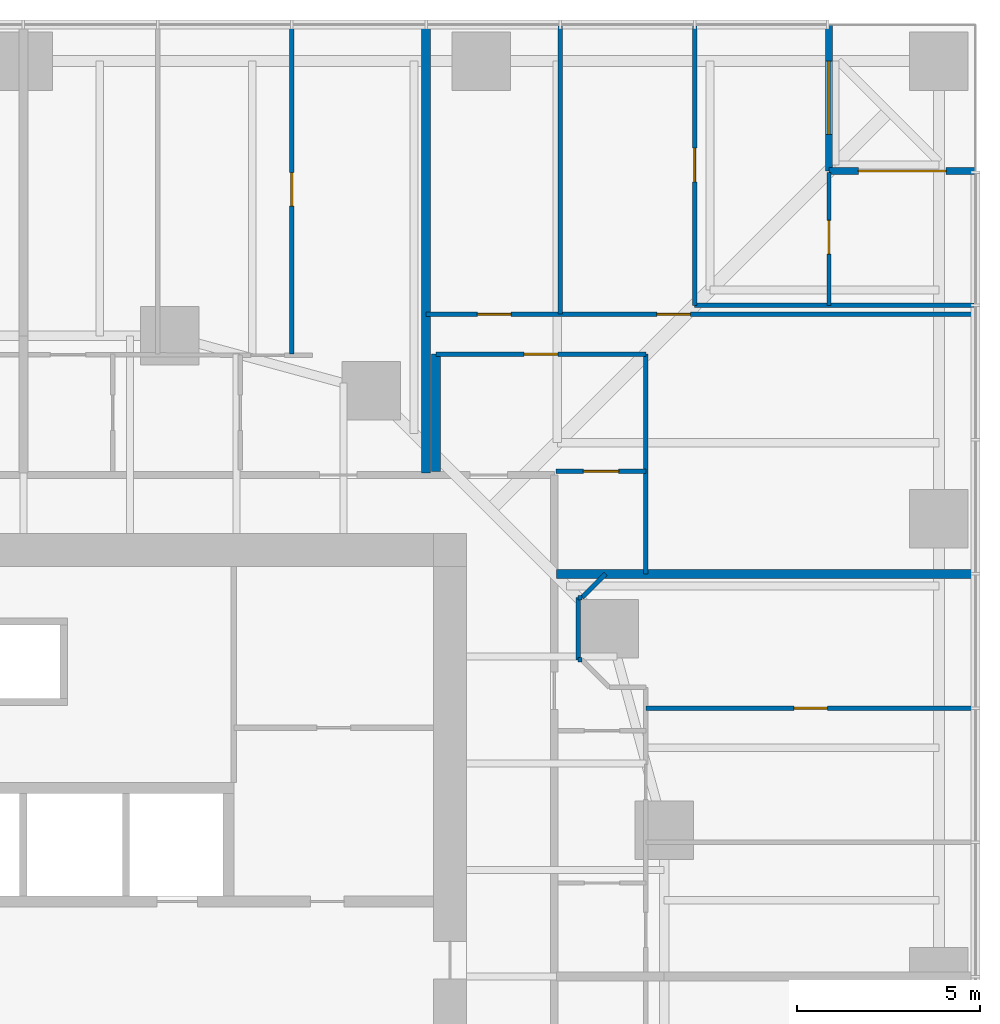
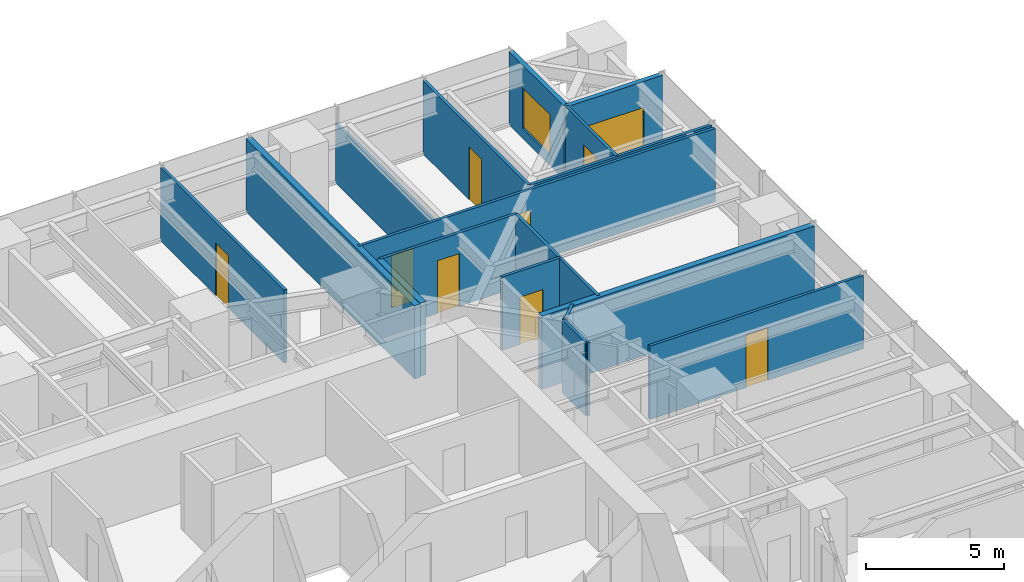
# One storey, part 15 of 17: 19 walls, 9 doors, 1 window, 10 openings.
"""IFC4 building model written with IfcOpenShell, lengths in metres."""

from ifc_helpers import new_model, si_unit, direction, frame, frame_2d, origin, place, context, subcontext, project, spatial, rectangle, extrude, material, layer, layer_set, type_object, element, fill, save


model = new_model("IFC4")

# Units and contexts
model_context = context("Model", 3, precision=1e-05, world=origin(), true_north=direction((0.0, 1.0)))
body_context = subcontext(model_context, "Body", "Model", "MODEL_VIEW")
ifc_project = project(units=[si_unit("LENGTHUNIT", "METRE"), si_unit("AREAUNIT", "SQUARE_METRE"), si_unit("VOLUMEUNIT", "CUBIC_METRE"), si_unit("PLANEANGLEUNIT", "RADIAN"), si_unit("MASSUNIT", "GRAM", prefix="KILO")], contexts=[model_context])

# Site, building, storey
site_placement = place(None, origin())
site = spatial("IfcSite", under=ifc_project, at=site_placement, CompositionType="ELEMENT")
building_placement = place(site_placement, origin())
building = spatial("IfcBuilding", under=site, at=building_placement, Name="Torsade Residences", CompositionType="ELEMENT")
storey_placement = place(building_placement, frame((0.0, 0.0, 18.39990234375)))
storey = spatial("IfcBuildingStorey", under=building, at=storey_placement, Name="L04", CompositionType="ELEMENT", Elevation=18.39990234375)

# Walls
ifc_material_1 = material(Name="Plasterboard on steel stud", Category="steel")
ifc_layer_1 = layer(ifc_material_1, 0.1201171875)
ifc_layer_set_1 = layer_set([ifc_layer_1], Name="Plasterboard on steel stud")
wall_type_1 = type_object("IfcWallType", Name="PARTITION 120", PredefinedType="PARTITIONING", material=ifc_layer_set_1)
wall_1_placement = place(storey_placement, frame((55.89990234375, 41.0, 0.0), z_axis=(0.0, 0.0, 1.0), x_axis=(-0.707106781187, -0.707106781187, 0.0)))
element("IfcWall", 1, at=wall_1_placement, inside=storey, type_object=wall_type_1, Name="Partition L04", PredefinedType="PARTITIONING", context=body_context, shape_type="SweptSolid", body=[
    extrude(rectangle(XDim=0.919189453125, YDim=0.1201171875, at=frame_2d((0.45947265625, 0.0))), origin(), (0.0, 0.0, 1.0), 3.25),
])
wall_2_placement = place(storey_placement, frame((55.14990234375, 40.35009765625, 0.0), z_axis=(0.0, 0.0, 1.0), x_axis=(0.0, -1.0, 0.0)))
element("IfcWall", 2, at=wall_2_placement, inside=storey, type_object=wall_type_1, Name="Partition L04", PredefinedType="PARTITIONING", context=body_context, shape_type="SweptSolid", body=[
    extrude(rectangle(XDim=1.7001953125, YDim=0.1201171875, at=frame_2d((0.85009765625, 0.0))), origin(), (0.0, 0.0, 1.0), 3.25),
])

# Wall, opening, door
wall_3_placement = place(storey_placement, frame((65.9599609375, 37.333251953125, 0.0), z_axis=(0.0, 0.0, 1.0), x_axis=(-1.0, 0.0, 0.0)))
wall_3 = element("IfcWall", 3, at=wall_3_placement, inside=storey, type_object=wall_type_1, Name="Partition L04", PredefinedType="PARTITIONING", context=body_context, shape_type="SweptSolid", body=[
    extrude(rectangle(XDim=8.9599609375, YDim=0.1201171875, at=frame_2d((4.47998046875, 0.0))), origin(), (0.0, 0.0, 1.0), 3.25),
])
opening_1_placement = place(wall_3_placement, frame((4.0, 0.0, 0.0)))
opening_1 = element("IfcOpeningElement", 4, at=opening_1_placement, cuts=wall_3, Name="Opening D02", PredefinedType="OPENING", context=body_context, shape_type="SweptSolid", body=[
    extrude(rectangle(XDim=0.919921875, YDim=2.340087890625, at=frame_2d((0.4599609375, 1.169921875))), frame((0.0, 0.070068359375, 0.0), z_axis=(0.0, -1.0, 0.0), x_axis=(1.0, 0.0, 0.0)), (0.0, 0.0, 1.0), 0.14013671875),
])
ifc_material_2 = material(Name="Hollow-core timber door", Category="wood")
door_type_1 = type_object("IfcDoorType", Name="INTERNAL DOOR 920x2340", OperationType="NOTDEFINED", PredefinedType="DOOR", material=ifc_material_2)
door_1_placement = place(opening_1_placement, origin())
door_1 = element("IfcDoor", 5, at=door_1_placement, inside=storey, type_object=door_type_1, Name="Door Bedroom 2 to Bedroom 1", OperationType="SINGLE_SWING_RIGHT", OverallHeight=2.340087890625, OverallWidth=0.919921875, PredefinedType="DOOR", context=body_context, shape_type="SweptSolid", body=[
    extrude(rectangle(XDim=0.919921875, YDim=2.340087890625, at=frame_2d((0.4599609375, 1.169921875))), frame((0.0, 0.02490234375, 0.0), z_axis=(0.0, -1.0, 0.0), x_axis=(1.0, 0.0, 0.0)), (0.0, 0.0, 1.0), 0.050048828125),
])
fill(opening_1, door_1)

wall_4_placement = place(storey_placement, frame((57.0, 43.800048828125, 0.0), z_axis=(0.0, 0.0, 1.0), x_axis=(-1.0, 0.0, 0.0)))
wall_4 = element("IfcWall", 6, at=wall_4_placement, inside=storey, type_object=wall_type_1, Name="Partition L04", PredefinedType="PARTITIONING", context=body_context, shape_type="SweptSolid", body=[
    extrude(rectangle(XDim=2.449951171875, YDim=0.1201171875, at=frame_2d((1.22509765625, 0.0))), origin(), (0.0, 0.0, 1.0), 3.25),
])
opening_2_placement = place(wall_4_placement, frame((0.7451171875, 0.0, 0.0)))
opening_2 = element("IfcOpeningElement", 7, at=opening_2_placement, cuts=wall_4, Name="Opening D05", PredefinedType="OPENING", context=body_context, shape_type="SweptSolid", body=[
    extrude(rectangle(XDim=0.9599609375, YDim=2.10009765625, at=frame_2d((0.47998046875, 1.050048828125))), frame((0.0, 0.070068359375, 0.0), z_axis=(0.0, -1.0, 0.0), x_axis=(1.0, 0.0, 0.0)), (0.0, 0.0, 1.0), 0.14013671875),
])
ifc_material_3 = material(Name="Hollow-core timber door in a steel cavity frame", Category="steel")
door_type_2 = type_object("IfcDoorType", Name="BATHROOM CAVITY SLIDING DOOR 960", OperationType="SLIDING_TO_LEFT", PredefinedType="DOOR", material=ifc_material_3)
door_2_placement = place(opening_2_placement, origin())
door_2 = element("IfcDoor", 8, at=door_2_placement, inside=storey, type_object=door_type_2, Name="Door Kitchen and dining to Bathroom", OperationType="SLIDING_TO_LEFT", OverallHeight=2.10009765625, OverallWidth=0.9599609375, PredefinedType="DOOR", context=body_context, shape_type="SweptSolid", body=[
    extrude(rectangle(XDim=0.9599609375, YDim=2.10009765625, at=frame_2d((0.47998046875, 1.050048828125))), frame((0.0, 0.02490234375, 0.0), z_axis=(0.0, -1.0, 0.0), x_axis=(1.0, 0.0, 0.0)), (0.0, 0.0, 1.0), 0.050048828125),
])
fill(opening_2, door_2)

wall_5_placement = place(storey_placement, frame((51.267578125, 47.0, 0.0), z_axis=(0.0, 0.0, 1.0), x_axis=(1.0, 0.0, 0.0)))
wall_5 = element("IfcWall", 9, at=wall_5_placement, inside=storey, type_object=wall_type_1, Name="Partition L04", PredefinedType="PARTITIONING", context=body_context, shape_type="SweptSolid", body=[
    extrude(rectangle(XDim=5.732421875, YDim=0.1201171875, at=frame_2d((2.8662109375, 0.0))), origin(), (0.0, 0.0, 1.0), 3.25),
])
opening_3_placement = place(wall_5_placement, frame((2.40625, 0.0, 0.0)))
opening_3 = element("IfcOpeningElement", 10, at=opening_3_placement, cuts=wall_5, Name="Opening D02", PredefinedType="OPENING", context=body_context, shape_type="SweptSolid", body=[
    extrude(rectangle(XDim=0.919921875, YDim=2.340087890625, at=frame_2d((0.4599609375, 1.169921875))), frame((0.0, 0.070068359375, 0.0), z_axis=(0.0, -1.0, 0.0), x_axis=(1.0, 0.0, 0.0)), (0.0, 0.0, 1.0), 0.14013671875),
])
door_3_placement = place(opening_3_placement, origin())
door_3 = element("IfcDoor", 11, at=door_3_placement, inside=storey, type_object=door_type_1, Name="Door Kitchen and dining to Living room", OperationType="SINGLE_SWING_LEFT", OverallHeight=2.340087890625, OverallWidth=0.919921875, PredefinedType="DOOR", context=body_context, shape_type="SweptSolid", body=[
    extrude(rectangle(XDim=0.919921875, YDim=2.340087890625, at=frame_2d((0.4599609375, 1.169921875))), frame((0.0, 0.02490234375, 0.0), z_axis=(0.0, -1.0, 0.0), x_axis=(1.0, 0.0, 0.0)), (0.0, 0.0, 1.0), 0.050048828125),
])
fill(opening_3, door_3)

# Wall
wall_6_placement = place(storey_placement, frame((57.0, 47.0, 0.0), z_axis=(0.0, 0.0, 1.0), x_axis=(0.0, -1.0, 0.0)))
element("IfcWall", 12, at=wall_6_placement, inside=storey, type_object=wall_type_1, Name="Partition L04", PredefinedType="PARTITIONING", context=body_context, shape_type="SweptSolid", body=[
    extrude(rectangle(XDim=6.0, YDim=0.1201171875, at=frame_2d((3.0, 0.0))), origin(), (0.0, 0.0, 1.0), 3.25),
])

# Wall, openings, doors
wall_7_placement = place(storey_placement, frame((51.0, 48.089111328125, 0.0), z_axis=(0.0, 0.0, 1.0), x_axis=(1.0, 0.0, 0.0)))
wall_7 = element("IfcWall", 13, at=wall_7_placement, inside=storey, type_object=wall_type_1, Name="Partition L04", PredefinedType="PARTITIONING", context=body_context, shape_type="SweptSolid", body=[
    extrude(rectangle(XDim=14.9599609375, YDim=0.1201171875, at=frame_2d((7.47998046875, 0.0))), origin(), (0.0, 0.0, 1.0), 3.25),
])
opening_4_placement = place(wall_7_placement, frame((6.29833984375, 0.0, 0.0)))
opening_4 = element("IfcOpeningElement", 14, at=opening_4_placement, cuts=wall_7, Name="Opening D02", PredefinedType="OPENING", context=body_context, shape_type="SweptSolid", body=[
    extrude(rectangle(XDim=0.919921875, YDim=2.340087890625, at=frame_2d((0.4599609375, 1.169921875))), frame((0.0, 0.070068359375, 0.0), z_axis=(0.0, -1.0, 0.0), x_axis=(1.0, 0.0, 0.0)), (0.0, 0.0, 1.0), 0.14013671875),
])
opening_5_placement = place(wall_7_placement, frame((1.3984375, 0.0, 0.0)))
opening_5 = element("IfcOpeningElement", 15, at=opening_5_placement, cuts=wall_7, Name="Opening D02", PredefinedType="OPENING", context=body_context, shape_type="SweptSolid", body=[
    extrude(rectangle(XDim=0.919921875, YDim=2.340087890625, at=frame_2d((0.4599609375, 1.169921875))), frame((0.0, 0.070068359375, 0.0), z_axis=(0.0, -1.0, 0.0), x_axis=(1.0, 0.0, 0.0)), (0.0, 0.0, 1.0), 0.14013671875),
])
door_4_placement = place(opening_4_placement, origin())
door_4 = element("IfcDoor", 16, at=door_4_placement, inside=storey, type_object=door_type_1, Name="Door Living room to Bedroom 1", OperationType="SINGLE_SWING_LEFT", OverallHeight=2.340087890625, OverallWidth=0.919921875, PredefinedType="DOOR", context=body_context, shape_type="SweptSolid", body=[
    extrude(rectangle(XDim=0.919921875, YDim=2.340087890625, at=frame_2d((0.4599609375, 1.169921875))), frame((0.0, 0.02490234375, 0.0), z_axis=(0.0, -1.0, 0.0), x_axis=(1.0, 0.0, 0.0)), (0.0, 0.0, 1.0), 0.050048828125),
])
fill(opening_4, door_4)
door_5_placement = place(opening_5_placement, origin())
door_5 = element("IfcDoor", 17, at=door_5_placement, inside=storey, type_object=door_type_1, Name="Door Living room to Bedroom 2", OperationType="SINGLE_SWING_RIGHT", OverallHeight=2.340087890625, OverallWidth=0.919921875, PredefinedType="DOOR", context=body_context, shape_type="SweptSolid", body=[
    extrude(rectangle(XDim=0.919921875, YDim=2.340087890625, at=frame_2d((0.4599609375, 1.169921875))), frame((0.0, 0.02490234375, 0.0), z_axis=(0.0, -1.0, 0.0), x_axis=(1.0, 0.0, 0.0)), (0.0, 0.0, 1.0), 0.050048828125),
])
fill(opening_5, door_5)

# Wall
wall_8_placement = place(storey_placement, frame((54.666748046875, 48.089111328125, 0.0), z_axis=(0.0, 0.0, 1.0), x_axis=(0.0, 1.0, 0.0)))
element("IfcWall", 18, at=wall_8_placement, inside=storey, type_object=wall_type_1, Name="Partition L04", PredefinedType="PARTITIONING", context=body_context, shape_type="SweptSolid", body=[
    extrude(rectangle(XDim=7.870849609375, YDim=0.1201171875, at=frame_2d((3.935546875, 0.0))), origin(), (0.0, 0.0, 1.0), 2.63818359375),
])

# Wall, opening, door
wall_9_placement = place(storey_placement, frame((58.333251953125, 55.9599609375, 0.0), z_axis=(0.0, 0.0, 1.0), x_axis=(0.0, -1.0, 0.0)))
wall_9 = element("IfcWall", 19, at=wall_9_placement, inside=storey, type_object=wall_type_1, Name="Partition L04", PredefinedType="PARTITIONING", context=body_context, shape_type="SweptSolid", body=[
    extrude(rectangle(XDim=7.626708984375, YDim=0.1201171875, at=frame_2d((3.8134765625, 0.0))), origin(), (0.0, 0.0, 1.0), 3.25),
])
opening_6_placement = place(wall_9_placement, frame((3.333251953125, 0.0, 0.0)))
opening_6 = element("IfcOpeningElement", 20, at=opening_6_placement, cuts=wall_9, Name="Opening D02", PredefinedType="OPENING", context=body_context, shape_type="SweptSolid", body=[
    extrude(rectangle(XDim=0.919921875, YDim=2.340087890625, at=frame_2d((0.4599609375, 1.169921875))), frame((0.0, 0.070068359375, 0.0), z_axis=(0.0, -1.0, 0.0), x_axis=(1.0, 0.0, 0.0)), (0.0, 0.0, 1.0), 0.14013671875),
])
door_6_placement = place(opening_6_placement, origin())
door_6 = element("IfcDoor", 21, at=door_6_placement, inside=storey, type_object=door_type_1, Name="Door Bedroom 1 to Study", OperationType="SINGLE_SWING_RIGHT", OverallHeight=2.340087890625, OverallWidth=0.919921875, PredefinedType="DOOR", context=body_context, shape_type="SweptSolid", body=[
    extrude(rectangle(XDim=0.919921875, YDim=2.340087890625, at=frame_2d((0.4599609375, 1.169921875))), frame((0.0, 0.02490234375, 0.0), z_axis=(0.0, -1.0, 0.0), x_axis=(1.0, 0.0, 0.0)), (0.0, 0.0, 1.0), 0.050048828125),
])
fill(opening_6, door_6)

# Wall
wall_10_placement = place(storey_placement, frame((58.333251953125, 48.333251953125, 0.0), z_axis=(0.0, 0.0, 1.0), x_axis=(1.0, 0.0, 0.0)))
element("IfcWall", 22, at=wall_10_placement, inside=storey, type_object=wall_type_1, Name="Partition L04", PredefinedType="PARTITIONING", context=body_context, shape_type="SweptSolid", body=[
    extrude(rectangle(XDim=7.626708984375, YDim=0.1201171875, at=frame_2d((3.8134765625, 0.0))), origin(), (0.0, 0.0, 1.0), 3.25),
])

# Wall, opening, door
wall_11_placement = place(storey_placement, frame((62.0, 51.9599609375, 0.0), z_axis=(0.0, 0.0, 1.0), x_axis=(0.0, -1.0, 0.0)))
wall_11 = element("IfcWall", 23, at=wall_11_placement, inside=storey, type_object=wall_type_1, Name="Partition L04", PredefinedType="PARTITIONING", context=body_context, shape_type="SweptSolid", body=[
    extrude(rectangle(XDim=3.626708984375, YDim=0.1201171875, at=frame_2d((1.8134765625, 0.0))), origin(), (0.0, 0.0, 1.0), 3.25),
])
opening_7_placement = place(wall_11_placement, frame((1.308349609375, 0.0, 0.0)))
opening_7 = element("IfcOpeningElement", 24, at=opening_7_placement, cuts=wall_11, Name="Opening D02", PredefinedType="OPENING", context=body_context, shape_type="SweptSolid", body=[
    extrude(rectangle(XDim=0.919921875, YDim=2.340087890625, at=frame_2d((0.4599609375, 1.169921875))), frame((0.0, 0.070068359375, 0.0), z_axis=(0.0, -1.0, 0.0), x_axis=(1.0, 0.0, 0.0)), (0.0, 0.0, 1.0), 0.14013671875),
])
door_7_placement = place(opening_7_placement, origin())
door_7 = element("IfcDoor", 25, at=door_7_placement, inside=storey, type_object=door_type_1, Name="Door Study to Family room", OperationType="SINGLE_SWING_RIGHT", OverallHeight=2.340087890625, OverallWidth=0.919921875, PredefinedType="DOOR", context=body_context, shape_type="SweptSolid", body=[
    extrude(rectangle(XDim=0.919921875, YDim=2.340087890625, at=frame_2d((0.4599609375, 1.169921875))), frame((0.0, 0.02490234375, 0.0), z_axis=(0.0, -1.0, 0.0), x_axis=(1.0, 0.0, 0.0)), (0.0, 0.0, 1.0), 0.050048828125),
])
fill(opening_7, door_7)

wall_12_placement = place(storey_placement, frame((47.333251953125, 47.0, 0.0), z_axis=(0.0, 0.0, 1.0), x_axis=(0.0, 1.0, 0.0)))
wall_12 = element("IfcWall", 26, at=wall_12_placement, inside=storey, type_object=wall_type_1, Name="Partition L04", PredefinedType="PARTITIONING", context=body_context, shape_type="SweptSolid", body=[
    extrude(rectangle(XDim=8.9599609375, YDim=0.1201171875, at=frame_2d((4.47998046875, 0.0))), origin(), (0.0, 0.0, 1.0), 3.25),
])
opening_8_placement = place(wall_12_placement, frame((4.0400390625, 0.0, 0.0)))
opening_8 = element("IfcOpeningElement", 27, at=opening_8_placement, cuts=wall_12, Name="Opening D02", PredefinedType="OPENING", context=body_context, shape_type="SweptSolid", body=[
    extrude(rectangle(XDim=0.919921875, YDim=2.340087890625, at=frame_2d((0.4599609375, 1.169921875))), frame((0.0, 0.070068359375, 0.0), z_axis=(0.0, -1.0, 0.0), x_axis=(1.0, 0.0, 0.0)), (0.0, 0.0, 1.0), 0.14013671875),
])
door_8_placement = place(opening_8_placement, origin())
door_8 = element("IfcDoor", 28, at=door_8_placement, inside=storey, type_object=door_type_1, Name="Door Bedroom 2 to Living room", OperationType="SINGLE_SWING_RIGHT", OverallHeight=2.340087890625, OverallWidth=0.919921875, PredefinedType="DOOR", context=body_context, shape_type="SweptSolid", body=[
    extrude(rectangle(XDim=0.919921875, YDim=2.340087890625, at=frame_2d((0.4599609375, 1.169921875))), frame((0.0, 0.02490234375, 0.0), z_axis=(0.0, -1.0, 0.0), x_axis=(1.0, 0.0, 0.0)), (0.0, 0.0, 1.0), 0.050048828125),
])
fill(opening_8, door_8)

# Walls
for number, where, z_axis, x_axis, name in (
    (29, (55.14990234375, 40.35009765625, 0.0), (0.0, 0.0, 1.0), (1.0, 0.0, 0.0), "Partition L04"),
    (30, (55.14990234375, 38.64990234375, 0.0), (0.0, 0.0, 1.0), (1.0, 0.0, 0.0), "Partition L04"),
):
    element("IfcWall", number, at=place(storey_placement, frame(where, z_axis=z_axis, x_axis=x_axis)), inside=storey, type_object=wall_type_1, Name=name, PredefinedType="PARTITIONING", context=body_context, shape_type="SweptSolid", body=[
        extrude(rectangle(XDim=0.10009765625, YDim=0.1201171875, at=frame_2d((0.050048828125, 0.0))), origin(), (0.0, 0.0, 1.0), 3.25),
    ])
ifc_material_4 = material(Name="Masonry-lined stud party wall", Category="masonry")
ifc_layer_2 = layer(ifc_material_4, 0.25)
ifc_layer_set_2 = layer_set([ifc_layer_2], Name="Masonry-lined stud party wall")
wall_type_2 = type_object("IfcWallType", Name="PARTY WALL 250", PredefinedType="PARTITIONING", material=ifc_layer_set_2)
wall_13_placement = place(storey_placement, frame((66.0, 41.0, 0.0), z_axis=(0.0, 0.0, 1.0), x_axis=(-1.0, 0.0, 0.0)))
element("IfcWall", 31, at=wall_13_placement, inside=storey, type_object=wall_type_2, Name="Party wall L04", PredefinedType="PARTITIONING", context=body_context, shape_type="SweptSolid", body=[
    extrude(rectangle(XDim=11.43994140625, YDim=0.25, at=frame_2d((5.719970703125, 0.0))), origin(), (0.0, 0.0, 1.0), 3.25),
])
wall_14_placement = place(storey_placement, frame((51.0, 56.0, 0.0), z_axis=(0.0, 0.0, 1.0), x_axis=(0.0, -1.0, 0.0)))
element("IfcWall", 32, at=wall_14_placement, inside=storey, type_object=wall_type_2, Name="Party wall L04", PredefinedType="PARTITIONING", context=body_context, shape_type="SweptSolid", body=[
    extrude(rectangle(XDim=12.239990234375, YDim=0.25, at=frame_2d((6.1201171875, 0.0))), origin(), (0.0, 0.0, 1.0), 3.25),
])
wall_15_placement = place(storey_placement, frame((51.267578125, 43.800048828125, 0.0), z_axis=(0.0, 0.0, 1.0), x_axis=(0.0, 1.0, 0.0)))
element("IfcWall", 33, at=wall_15_placement, inside=storey, type_object=wall_type_2, Name="Party wall L04", PredefinedType="PARTITIONING", context=body_context, shape_type="SweptSolid", body=[
    extrude(rectangle(XDim=3.199951171875, YDim=0.25, at=frame_2d((1.60009765625, 0.0))), origin(), (0.0, 0.0, 1.0), 3.25),
])

# Wall, opening, door
ifc_material_5 = material(Name="Stone-faced precast concrete 40 MPa panel", Category="masonry")
ifc_layer_3 = layer(ifc_material_5, 0.199951171875)
ifc_layer_set_3 = layer_set([ifc_layer_3], Name="Stone-faced precast concrete 40 MPa panel")
wall_type_3 = type_object("IfcWallType", Name="TERRACE WALL 200", PredefinedType="SOLIDWALL", material=ifc_layer_set_3)
wall_16_placement = place(storey_placement, frame((66.0, 52.0, 0.0), z_axis=(0.0, 0.0, 1.0), x_axis=(-1.0, 0.0, 0.0)))
wall_16 = element("IfcWall", 34, at=wall_16_placement, inside=storey, type_object=wall_type_3, Name="Terrace wall L04 5", PredefinedType="SOLIDWALL", context=body_context, shape_type="SweptSolid", body=[
    extrude(rectangle(XDim=4.0, YDim=0.199951171875, at=frame_2d((2.0, 0.0))), origin(), (0.0, 0.0, 1.0), 3.25),
])
opening_9_placement = place(wall_16_placement, frame((0.800048828125, 0.0, 0.0)))
opening_9 = element("IfcOpeningElement", 35, at=opening_9_placement, cuts=wall_16, Name="Opening D10A", PredefinedType="OPENING", context=body_context, shape_type="SweptSolid", body=[
    extrude(rectangle(XDim=2.39990234375, YDim=2.10009765625, at=frame_2d((1.199951171875, 1.050048828125))), frame((0.0, 0.10986328125, 0.0), z_axis=(0.0, -1.0, 0.0), x_axis=(1.0, 0.0, 0.0)), (0.0, 0.0, 1.0), 0.219970703125),
])
ifc_material_6 = material(Name="Aluminium-framed glass door", Category="aluminium")
door_type_3 = type_object("IfcDoorType", Name="TERRACE SLIDING DOOR 2400x2100", OperationType="SLIDING_TO_LEFT", PredefinedType="DOOR", material=ifc_material_6)
door_9_placement = place(opening_9_placement, origin())
door_9 = element("IfcDoor", 36, at=door_9_placement, inside=storey, type_object=door_type_3, Name="Terrace door L04 5", OperationType="SLIDING_TO_LEFT", OverallHeight=2.10009765625, OverallWidth=2.39990234375, PredefinedType="DOOR", context=body_context, shape_type="SweptSolid", body=[
    extrude(rectangle(XDim=2.39990234375, YDim=2.10009765625, at=frame_2d((1.199951171875, 1.050048828125))), frame((0.0, 0.02490234375, 0.0), z_axis=(0.0, -1.0, 0.0), x_axis=(1.0, 0.0, 0.0)), (0.0, 0.0, 1.0), 0.050048828125),
])
fill(opening_9, door_9)

# Wall, opening, window
wall_17_placement = place(storey_placement, frame((62.0, 52.0, 0.0), z_axis=(0.0, 0.0, 1.0), x_axis=(0.0, 1.0, 0.0)))
wall_17 = element("IfcWall", 37, at=wall_17_placement, inside=storey, type_object=wall_type_3, Name="Terrace wall L04 6", PredefinedType="SOLIDWALL", context=body_context, shape_type="SweptSolid", body=[
    extrude(rectangle(XDim=4.0, YDim=0.199951171875, at=frame_2d((2.0, 0.0))), origin(), (0.0, 0.0, 1.0), 3.25),
])
opening_10_placement = place(wall_17_placement, frame((1.0, 0.0, 0.449951171875)))
opening_10 = element("IfcOpeningElement", 38, at=opening_10_placement, cuts=wall_17, Name="Opening W1B", PredefinedType="OPENING", context=body_context, shape_type="SweptSolid", body=[
    extrude(rectangle(XDim=2.0, YDim=1.800048828125, at=frame_2d((1.0, 0.89990234375))), frame((0.0, 0.10986328125, 0.0), z_axis=(0.0, -1.0, 0.0), x_axis=(1.0, 0.0, 0.0)), (0.0, 0.0, 1.0), 0.219970703125),
])
ifc_material_7 = material(Name="Aluminium-framed glass window", Category="aluminium")
window_type = type_object("IfcWindowType", Name="TERRACE WINDOW 2000x1800", PartitioningType="SINGLE_PANEL", PredefinedType="WINDOW", material=ifc_material_7)
window_placement = place(opening_10_placement, origin())
window = element("IfcWindow", 39, at=window_placement, inside=storey, type_object=window_type, Name="Terrace window L04 6", OverallHeight=1.800048828125, OverallWidth=2.0, PartitioningType="SINGLE_PANEL", PredefinedType="WINDOW", context=body_context, shape_type="SweptSolid", body=[
    extrude(rectangle(XDim=2.0, YDim=1.800048828125, at=frame_2d((1.0, 0.89990234375))), frame((0.0, 0.030029296875, 0.0), z_axis=(0.0, -1.0, 0.0), x_axis=(1.0, 0.0, 0.0)), (0.0, 0.0, 1.0), 0.06005859375),
])
fill(opening_10, window)

save(model, "model.ifc")
